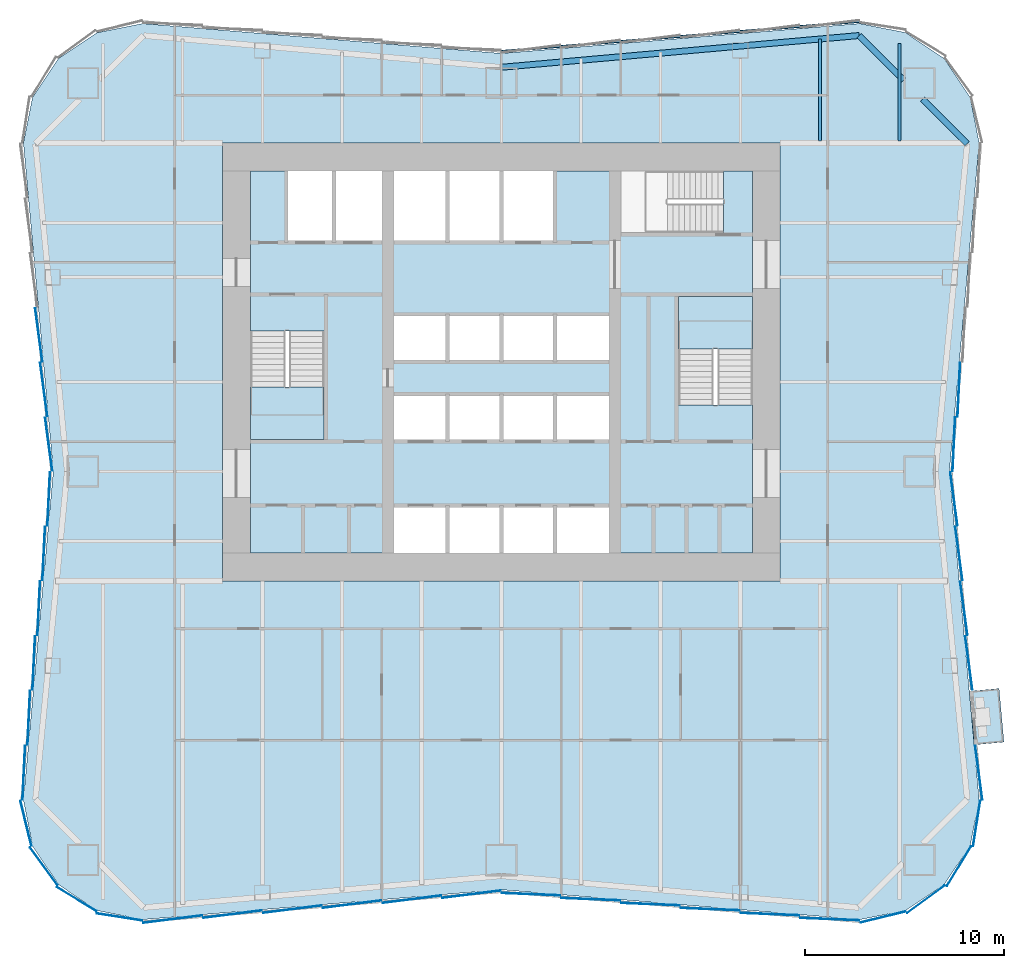
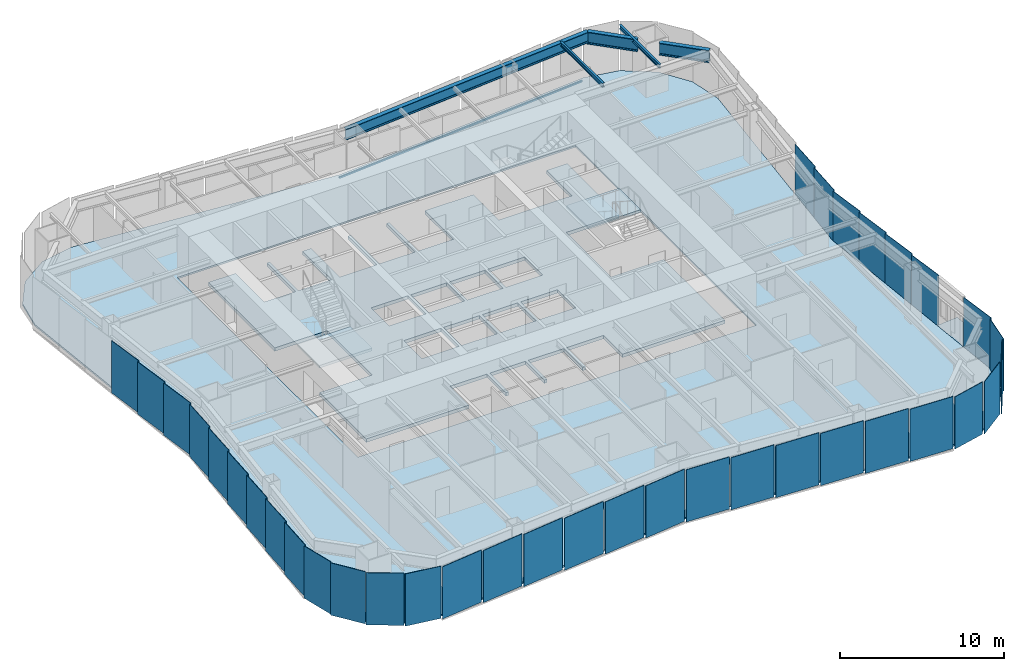
# One storey, part 2 of 8: 36 plates, 5 beams, 5 slabs, 1 member, 8 elements without a shape of their own.
"""IFC4 building model written with IfcOpenShell, lengths in metres."""

from ifc_helpers import new_model, si_unit, direction, frame, origin, origin_2d, place, context, subcontext, project, spatial, polyline, rectangle, i_section, outline, extrude, material, layer, layer_set, material_profile, profile_set, type_object, element, aggregate, save


model = new_model("IFC4")

# Units and contexts
model_context = context("Model", 3, precision=1e-05, world=origin(), true_north=direction((0.0, 1.0)))
body_context = subcontext(model_context, "Body", "Model", "MODEL_VIEW")
ifc_project = project(units=[si_unit("LENGTHUNIT", "METRE"), si_unit("AREAUNIT", "SQUARE_METRE"), si_unit("VOLUMEUNIT", "CUBIC_METRE"), si_unit("PLANEANGLEUNIT", "RADIAN"), si_unit("MASSUNIT", "GRAM", prefix="KILO")], contexts=[model_context])

# Site, building, storey
site_placement = place(None, origin())
site = spatial("IfcSite", under=ifc_project, at=site_placement, CompositionType="ELEMENT")
building_placement = place(site_placement, origin())
building = spatial("IfcBuilding", under=site, at=building_placement, Name="Verdant Reach Tower", CompositionType="ELEMENT")
storey_placement = place(building_placement, frame((0.0, 0.0, 42.0)))
storey = spatial("IfcBuildingStorey", under=building, at=storey_placement, Name="L09", CompositionType="ELEMENT", Elevation=42.0)

# Curtain wall, member
ifc_material_1 = material(Name="Anodised aluminium", Category="aluminium")
curtain_wall_type = type_object("IfcCurtainWallType", Name="EN-CW SYSTEM Z0", PredefinedType="NOTDEFINED", material=ifc_material_1)
curtain_wall_1_placement = place(storey_placement, origin())
curtain_wall_1 = element("IfcCurtainWall", 1, at=curtain_wall_1_placement, inside=storey, type_object=curtain_wall_type, Name="Curtain wall north, L09", PredefinedType="NOTDEFINED")
ifc_material_profile_1 = material_profile(ifc_material_1, rectangle(XDim=0.10009765625, YDim=0.1201171875, at=origin_2d()), Name="Transom 120x100")
ifc_profile_set_1 = profile_set([ifc_material_profile_1], Name="Anodised aluminium")
member_type = type_object("IfcMemberType", Name="EN-TRANSOM Z0", PredefinedType="USERDEFINED", material=ifc_profile_set_1)
member_placement = place(storey_placement, frame((17.975830078125, 45.097412109375, -0.2900390625), z_axis=(-0.996548656072, -0.083010698588, 0.0), x_axis=(0.083010698588, -0.996548656072, 0.0)))
member = element("IfcMember", 2, at=member_placement, type_object=member_type, Name="Transom north face part 1 1.1, L09", ObjectType="TRANSOM", PredefinedType="USERDEFINED", context=body_context, shape_type="SweptSolid", body=[
    extrude(rectangle(XDim=0.10009765625, YDim=0.1201171875, at=origin_2d()), origin(), (0.0, 0.0, 1.0), 18.00830078125),
])
aggregate(curtain_wall_1, [member])

# Beams
ifc_material_2 = material(Name="Steel S355", Category="steel")
ifc_material_profile_2 = material_profile(ifc_material_2, i_section(OverallWidth=0.14990234375, OverallDepth=0.300048828125, WebThickness=0.007080078125, FlangeThickness=0.0107421875, FilletRadius=0.014892578125, at=origin_2d()), Name="IPE 300")
ifc_profile_set_2 = profile_set([ifc_material_profile_2], Name="Steel S355")
beam_type_1 = type_object("IfcBeamType", Name="ST-JOIST-IPE300", PredefinedType="JOIST", material=ifc_profile_set_2)
beam_1_placement = place(storey_placement, frame((16.0, 39.10009765625, 3.719970703125), z_axis=(0.0, 1.0, 0.0), x_axis=(-1.0, 0.0, 0.0)))
element("IfcBeam", 3, at=beam_1_placement, inside=storey, type_object=beam_type_1, Name="Floor joist, L09", PredefinedType="JOIST", context=body_context, shape_type="SweptSolid", body=[
    extrude(i_section(OverallWidth=0.14990234375, OverallDepth=0.300048828125, WebThickness=0.007080078125, FlangeThickness=0.0107421875, FilletRadius=0.014892578125, at=origin_2d()), origin(), (0.0, 0.0, 1.0), 5.131103515625),
])
beam_2_placement = place(storey_placement, frame((20.0, 39.10009765625, 3.719970703125), z_axis=(0.0, 1.0, 0.0), x_axis=(-1.0, 0.0, 0.0)))
element("IfcBeam", 4, at=beam_2_placement, inside=storey, type_object=beam_type_1, Name="Floor joist, L09", PredefinedType="JOIST", context=body_context, shape_type="SweptSolid", body=[
    extrude(i_section(OverallWidth=0.14990234375, OverallDepth=0.300048828125, WebThickness=0.007080078125, FlangeThickness=0.0107421875, FilletRadius=0.014892578125, at=origin_2d()), origin(), (0.0, 0.0, 1.0), 4.890380859375),
])
ifc_material_profile_3 = material_profile(ifc_material_2, i_section(OverallWidth=0.300048828125, OverallDepth=0.800048828125, WebThickness=0.017578125, FlangeThickness=0.032958984375, FilletRadius=0.030029296875, at=origin_2d()), Name="HEB 800")
ifc_profile_set_3 = profile_set([ifc_material_profile_3], Name="Steel S355")
beam_type_2 = type_object("IfcBeamType", Name="ST-SPANDREL-HEB800", PredefinedType="SPANDREL", material=ifc_profile_set_3)
beam_3_placement = place(storey_placement, frame((0.0, 42.800048828125, 3.469970703125), z_axis=(0.996082370463, 0.088430262084, 0.0), x_axis=(-0.088430262084, 0.996082370463, 0.0)))
element("IfcBeam", 5, at=beam_3_placement, inside=storey, type_object=beam_type_2, Name="Edge beam, L09", PredefinedType="SPANDREL", context=body_context, shape_type="SweptSolid", body=[
    extrude(i_section(OverallWidth=0.300048828125, OverallDepth=0.800048828125, WebThickness=0.017578125, FlangeThickness=0.032958984375, FilletRadius=0.030029296875, at=origin_2d()), origin(), (0.0, 0.0, 1.0), 18.036376953125),
])
ifc_material_profile_4 = material_profile(ifc_material_2, i_section(OverallWidth=0.302001953125, OverallDepth=0.909912109375, WebThickness=0.02099609375, FlangeThickness=0.0400390625, FilletRadius=0.030029296875, at=origin_2d()), Name="HEM 900")
ifc_profile_set_4 = profile_set([ifc_material_profile_4], Name="Steel S355")
beam_type_3 = type_object("IfcBeamType", Name="ST-SPANDREL-HEM900", PredefinedType="SPANDREL", material=ifc_profile_set_4)
beam_4_placement = place(storey_placement, frame((17.9658203125, 44.39501953125, 3.4150390625), z_axis=(0.707222697162, -0.706990846206, 0.0), x_axis=(0.706990846206, 0.707222697162, 0.0)))
element("IfcBeam", 6, at=beam_4_placement, inside=storey, type_object=beam_type_3, Name="Edge beam, L09", PredefinedType="SPANDREL", context=body_context, shape_type="SweptSolid", body=[
    extrude(i_section(OverallWidth=0.302001953125, OverallDepth=0.909912109375, WebThickness=0.02099609375, FlangeThickness=0.0400390625, FilletRadius=0.030029296875, at=origin_2d()), origin(), (0.0, 0.0, 1.0), 3.158935546875),
])
beam_5_placement = place(storey_placement, frame((21.161865234375, 41.199951171875, 3.4150390625), z_axis=(0.70722277322, -0.706990770123, 0.0), x_axis=(0.706990770123, 0.70722277322, 0.0)))
element("IfcBeam", 7, at=beam_5_placement, inside=storey, type_object=beam_type_3, Name="Edge beam, L09", PredefinedType="SPANDREL", context=body_context, shape_type="SweptSolid", body=[
    extrude(i_section(OverallWidth=0.302001953125, OverallDepth=0.909912109375, WebThickness=0.02099609375, FlangeThickness=0.0400390625, FilletRadius=0.030029296875, at=origin_2d()), origin(), (0.0, 0.0, 1.0), 3.156982421875),
])

# Stair, slab
ifc_material_3 = material(Name="Concrete C40/50", Category="concrete")
stair_type = type_object("IfcStairType", Name="CO-STAIR", PredefinedType="HALF_TURN_STAIR", material=ifc_material_3)
stair_1_placement = place(storey_placement, origin())
stair_1 = element("IfcStair", 8, at=stair_1_placement, inside=storey, type_object=stair_type, Name="L09 Exit stair 1", PredefinedType="HALF_TURN_STAIR")
ifc_layer_1 = layer(ifc_material_3, 0.199951171875)
ifc_layer_set_1 = layer_set([ifc_layer_1], Name="CO-STAIR-LANDING")
slab_type_1 = type_object("IfcSlabType", Name="CO-STAIR-LANDING", PredefinedType="LANDING", material=ifc_layer_set_1)
slab_1_placement = place(storey_placement, frame((0.0, 0.0, 1.800048828125)))
slab_1 = element("IfcSlab", 9, at=slab_1_placement, type_object=slab_type_1, Name="ST-1 landing 1", PredefinedType="LANDING", context=body_context, shape_type="SweptSolid", body=[
    extrude(outline(polyline([(-12.60009765625, 26.75), (-12.60009765625, 24.10009765625), (-8.89990234375, 24.10009765625), (-8.89990234375, 26.75), (-12.60009765625, 26.75)])), origin(), (0.0, 0.0, 1.0), 0.199951171875),
])
aggregate(stair_1, [slab_1])

stair_2_placement = place(storey_placement, origin())
stair_2 = element("IfcStair", 10, at=stair_2_placement, inside=storey, type_object=stair_type, Name="L09 Exit stair 2", PredefinedType="HALF_TURN_STAIR")
slab_2_placement = place(storey_placement, frame((0.0, 0.0, 1.800048828125)))
slab_2 = element("IfcSlab", 11, at=slab_2_placement, type_object=slab_type_1, Name="ST-2 landing 1", PredefinedType="LANDING", context=body_context, shape_type="SweptSolid", body=[
    extrude(outline(polyline([(12.60009765625, 28.64990234375), (12.60009765625, 31.300048828125), (8.89990234375, 31.300048828125), (8.89990234375, 28.64990234375), (12.60009765625, 28.64990234375)])), origin(), (0.0, 0.0, 1.0), 0.199951171875),
])
aggregate(stair_2, [slab_2])

# Slab
ifc_material_4 = material(Name="Concrete C35/45", Category="concrete")
ifc_layer_2 = layer(ifc_material_4, 0.25)
ifc_layer_set_2 = layer_set([ifc_layer_2], Name="EN-BALCONY SLAB")
slab_type_2 = type_object("IfcSlabType", Name="EN-BALCONY SLAB", PredefinedType="FLOOR", material=ifc_layer_set_2)
slab_3_placement = place(storey_placement, frame((0.0, 0.0, -0.25)))
element("IfcSlab", 12, at=slab_3_placement, inside=storey, type_object=slab_type_2, Name="Balcony slab 1, L09", PredefinedType="FLOOR", context=body_context, shape_type="SweptSolid", body=[
    extrude(outline(polyline([(23.747314453125, 8.77978515625), (23.502685546875, 11.47021484375), (24.99658203125, 11.60595703125), (25.2412109375, 8.915771484375), (23.747314453125, 8.77978515625)])), origin(), (0.0, 0.0, 1.0), 0.25),
])

# Curtain wall, plates
curtain_wall_2_placement = place(storey_placement, origin())
curtain_wall_2 = element("IfcCurtainWall", 13, at=curtain_wall_2_placement, inside=storey, type_object=curtain_wall_type, Name="Curtain wall south-east corner, L09", PredefinedType="NOTDEFINED")
ifc_material_5 = material(Name="Tinted glass with champagne spandrel", Category="glass")
ifc_layer_3 = layer(ifc_material_5, 0.031982421875)
ifc_layer_set_3 = layer_set([ifc_layer_3], Name="EN-PANEL CHAMPAGNE")
plate_type_1 = type_object("IfcPlateType", Name="EN-PANEL CHAMPAGNE", PredefinedType="CURTAIN_PANEL", material=ifc_layer_set_3)
plate_1_placement = place(storey_placement, frame((21.32373046875, 1.025390625, -0.22998046875), z_axis=(0.0, 0.0, 1.0), x_axis=(0.807456745624, 0.589926778461, 0.0)))
plate_1 = element("IfcPlate", 14, at=plate_1_placement, type_object=plate_type_1, Name="Glass panel south-east corner 2.1, L09", PredefinedType="CURTAIN_PANEL", context=body_context, shape_type="SweptSolid", body=[
    extrude(rectangle(XDim=2.32421875, YDim=0.031982421875, at=origin_2d()), origin(), (0.0, 0.0, 1.0), 3.8798828125),
])
plate_2_placement = place(storey_placement, frame((22.974609375, 2.67626953125, -0.22998046875), z_axis=(0.0, 0.0, 1.0), x_axis=(0.520291583159, 0.853988681713, 0.0)))
plate_2 = element("IfcPlate", 15, at=plate_2_placement, type_object=plate_type_1, Name="Glass panel south-east corner 3.1, L09", PredefinedType="CURTAIN_PANEL", context=body_context, shape_type="SweptSolid", body=[
    extrude(rectangle(XDim=2.32421875, YDim=0.031982421875, at=origin_2d()), origin(), (0.0, 0.0, 1.0), 3.8798828125),
])

curtain_wall_3_placement = place(storey_placement, origin())
curtain_wall_3 = element("IfcCurtainWall", 16, at=curtain_wall_3_placement, inside=storey, type_object=curtain_wall_type, Name="Curtain wall east, L09", PredefinedType="NOTDEFINED")
plate_3_placement = place(storey_placement, frame((23.974609375, 7.376953125, -0.22998046875), z_axis=(0.0, 0.0, 1.0), x_axis=(-0.131792939527, 0.991277267514, 0.0)))
plate_3 = element("IfcPlate", 17, at=plate_3_placement, type_object=plate_type_1, Name="Glass panel east face part 1 1.1, L09", PredefinedType="CURTAIN_PANEL", context=body_context, shape_type="SweptSolid", body=[
    extrude(rectangle(XDim=2.7197265625, YDim=0.031982421875, at=origin_2d()), origin(), (0.0, 0.0, 1.0), 3.8798828125),
])
plate_4_placement = place(storey_placement, frame((22.724853515625, 23.870361328125, -0.22998046875), z_axis=(0.0, 0.0, 1.0), x_axis=(0.048901687644, 0.998803596782, 0.0)))
plate_4 = element("IfcPlate", 18, at=plate_4_placement, type_object=plate_type_1, Name="Glass panel east face part 2 1.1, L09", PredefinedType="CURTAIN_PANEL", context=body_context, shape_type="SweptSolid", body=[
    extrude(rectangle(XDim=2.6962890625, YDim=0.031982421875, at=origin_2d()), origin(), (0.0, 0.0, 1.0), 3.8798828125),
])
plate_5_placement = place(storey_placement, frame((22.974609375, 26.615966796875, -0.22998046875), z_axis=(0.0, 0.0, 1.0), x_axis=(0.04875265175, 0.998810882473, 0.0)))
plate_5 = element("IfcPlate", 19, at=plate_5_placement, type_object=plate_type_1, Name="Glass panel east face part 2 2.1, L09", PredefinedType="CURTAIN_PANEL", context=body_context, shape_type="SweptSolid", body=[
    extrude(rectangle(XDim=2.705322265625, YDim=0.031982421875, at=origin_2d()), origin(), (0.0, 0.0, 1.0), 3.8798828125),
])

curtain_wall_4_placement = place(storey_placement, origin())
curtain_wall_4 = element("IfcCurtainWall", 20, at=curtain_wall_4_placement, inside=storey, type_object=curtain_wall_type, Name="Curtain wall west, L09", PredefinedType="NOTDEFINED")
plate_6_placement = place(storey_placement, frame((-23.224609375, 29.365966796875, -0.22998046875), z_axis=(0.0, 0.0, 1.0), x_axis=(0.132160009881, -0.99122839537, 0.0)))
plate_6 = element("IfcPlate", 21, at=plate_6_placement, type_object=plate_type_1, Name="Glass panel west face part 1 4.1, L09", PredefinedType="CURTAIN_PANEL", context=body_context, shape_type="SweptSolid", body=[
    extrude(rectangle(XDim=2.705322265625, YDim=0.031982421875, at=origin_2d()), origin(), (0.0, 0.0, 1.0), 3.8798828125),
])
plate_7_placement = place(storey_placement, frame((-22.974609375, 26.615966796875, -0.22998046875), z_axis=(0.0, 0.0, 1.0), x_axis=(0.132160009881, -0.99122839537, 0.0)))
plate_7 = element("IfcPlate", 22, at=plate_7_placement, type_object=plate_type_1, Name="Glass panel west face part 1 5.1, L09", PredefinedType="CURTAIN_PANEL", context=body_context, shape_type="SweptSolid", body=[
    extrude(rectangle(XDim=2.705322265625, YDim=0.031982421875, at=origin_2d()), origin(), (0.0, 0.0, 1.0), 3.8798828125),
])
plate_8_placement = place(storey_placement, frame((-23.724609375, 10.134033203125, -0.22998046875), z_axis=(0.0, 0.0, 1.0), x_axis=(-0.04875265175, -0.998810882473, 0.0)))
plate_8 = element("IfcPlate", 23, at=plate_8_placement, type_object=plate_type_1, Name="Glass panel west face part 2 5.1, L09", PredefinedType="CURTAIN_PANEL", context=body_context, shape_type="SweptSolid", body=[
    extrude(rectangle(XDim=2.705322265625, YDim=0.031982421875, at=origin_2d()), origin(), (0.0, 0.0, 1.0), 3.8798828125),
])
plate_9_placement = place(storey_placement, frame((-23.974609375, 7.376953125, -0.22998046875), z_axis=(0.0, 0.0, 1.0), x_axis=(-0.048382779248, -0.998828867561, 0.0)))
plate_9 = element("IfcPlate", 24, at=plate_9_placement, type_object=plate_type_1, Name="Glass panel west face part 2 6.1, L09", PredefinedType="CURTAIN_PANEL", context=body_context, shape_type="SweptSolid", body=[
    extrude(rectangle(XDim=2.7197265625, YDim=0.031982421875, at=origin_2d()), origin(), (0.0, 0.0, 1.0), 3.8798828125),
])

# Curtain wall, plate
curtain_wall_5_placement = place(storey_placement, origin())
curtain_wall_5 = element("IfcCurtainWall", 25, at=curtain_wall_5_placement, inside=storey, type_object=curtain_wall_type, Name="Curtain wall south-west corner, L09", PredefinedType="NOTDEFINED")
plate_10_placement = place(storey_placement, frame((-19.169921875, 0.13232421875, -0.22998046875), z_axis=(0.0, 0.0, 1.0), x_axis=(0.98803452381, -0.154232875093, 0.0)))
plate_10 = element("IfcPlate", 26, at=plate_10_placement, type_object=plate_type_1, Name="Glass panel south-west corner 4.1, L09", PredefinedType="CURTAIN_PANEL", context=body_context, shape_type="SweptSolid", body=[
    extrude(rectangle(XDim=2.318603515625, YDim=0.031982421875, at=origin_2d()), origin(), (0.0, 0.0, 1.0), 3.8798828125),
])

# Curtain wall, plates
curtain_wall_6_placement = place(storey_placement, origin())
curtain_wall_6 = element("IfcCurtainWall", 27, at=curtain_wall_6_placement, inside=storey, type_object=curtain_wall_type, Name="Curtain wall south, L09", PredefinedType="NOTDEFINED")
plate_11_placement = place(storey_placement, frame((-13.49169921875, 0.275390625, -0.22998046875), z_axis=(0.0, 0.0, 1.0), x_axis=(0.992194034542, 0.124703639961, 0.0)))
plate_11 = element("IfcPlate", 28, at=plate_11_placement, type_object=plate_type_1, Name="Glass panel south face part 1 2.1, L09", PredefinedType="CURTAIN_PANEL", context=body_context, shape_type="SweptSolid", body=[
    extrude(rectangle(XDim=2.954345703125, YDim=0.031982421875, at=origin_2d()), origin(), (0.0, 0.0, 1.0), 3.8798828125),
])
plate_12_placement = place(storey_placement, frame((-10.49169921875, 0.525390625, -0.22998046875), z_axis=(0.0, 0.0, 1.0), x_axis=(0.992194034542, 0.124703639961, 0.0)))
plate_12 = element("IfcPlate", 29, at=plate_12_placement, type_object=plate_type_1, Name="Glass panel south face part 1 3.1, L09", PredefinedType="CURTAIN_PANEL", context=body_context, shape_type="SweptSolid", body=[
    extrude(rectangle(XDim=2.954345703125, YDim=0.031982421875, at=origin_2d()), origin(), (0.0, 0.0, 1.0), 3.8798828125),
])
plate_13_placement = place(storey_placement, frame((7.49169921875, 0.775390625, -0.22998046875), z_axis=(0.0, 0.0, 1.0), x_axis=(0.999149202059, -0.041241629766, 0.0)))
plate_13 = element("IfcPlate", 30, at=plate_13_placement, type_object=plate_type_1, Name="Glass panel south face part 2 3.1, L09", PredefinedType="CURTAIN_PANEL", context=body_context, shape_type="SweptSolid", body=[
    extrude(rectangle(XDim=2.954345703125, YDim=0.031982421875, at=origin_2d()), origin(), (0.0, 0.0, 1.0), 3.8798828125),
])
plate_14_placement = place(storey_placement, frame((10.49169921875, 0.525390625, -0.22998046875), z_axis=(0.0, 0.0, 1.0), x_axis=(0.999149202059, -0.041241629766, 0.0)))
plate_14 = element("IfcPlate", 31, at=plate_14_placement, type_object=plate_type_1, Name="Glass panel south face part 2 4.1, L09", PredefinedType="CURTAIN_PANEL", context=body_context, shape_type="SweptSolid", body=[
    extrude(rectangle(XDim=2.954345703125, YDim=0.031982421875, at=origin_2d()), origin(), (0.0, 0.0, 1.0), 3.8798828125),
])
plate_15_placement = place(storey_placement, frame((13.49169921875, 0.275390625, -0.22998046875), z_axis=(0.0, 0.0, 1.0), x_axis=(0.999149202059, -0.041241629766, 0.0)))
plate_15 = element("IfcPlate", 32, at=plate_15_placement, type_object=plate_type_1, Name="Glass panel south face part 2 5.1, L09", PredefinedType="CURTAIN_PANEL", context=body_context, shape_type="SweptSolid", body=[
    extrude(rectangle(XDim=2.954345703125, YDim=0.031982421875, at=origin_2d()), origin(), (0.0, 0.0, 1.0), 3.8798828125),
])

# Plate
ifc_material_6 = material(Name="Tinted glass with copper spandrel", Category="glass")
ifc_layer_4 = layer(ifc_material_6, 0.031982421875)
ifc_layer_set_4 = layer_set([ifc_layer_4], Name="EN-PANEL COPPER")
plate_type_2 = type_object("IfcPlateType", Name="EN-PANEL COPPER", PredefinedType="CURTAIN_PANEL", material=ifc_layer_set_4)
plate_16_placement = place(storey_placement, frame((23.86767578125, 4.830078125, -0.22998046875), z_axis=(0.0, 0.0, 1.0), x_axis=(0.154210737778, 0.988037979206, 0.0)))
plate_16 = element("IfcPlate", 33, at=plate_16_placement, type_object=plate_type_2, Name="Glass panel south-east corner 4.1, L09", PredefinedType="CURTAIN_PANEL", context=body_context, shape_type="SweptSolid", body=[
    extrude(rectangle(XDim=2.31884765625, YDim=0.031982421875, at=origin_2d()), origin(), (0.0, 0.0, 1.0), 3.8798828125),
])

plate_17_placement = place(storey_placement, frame((23.474609375, 12.884033203125, -0.22998046875), z_axis=(0.0, 0.0, 1.0), x_axis=(-0.132160009881, 0.99122839537, 0.0)))
plate_17 = element("IfcPlate", 34, at=plate_17_placement, type_object=plate_type_2, Name="Glass panel east face part 1 3.1, L09", PredefinedType="CURTAIN_PANEL", context=body_context, shape_type="SweptSolid", body=[
    extrude(rectangle(XDim=2.705322265625, YDim=0.031982421875, at=origin_2d()), origin(), (0.0, 0.0, 1.0), 3.8798828125),
])

plate_18_placement = place(storey_placement, frame((23.224609375, 15.634033203125, -0.22998046875), z_axis=(0.0, 0.0, 1.0), x_axis=(-0.132160009881, 0.99122839537, 0.0)))
plate_18 = element("IfcPlate", 35, at=plate_18_placement, type_object=plate_type_2, Name="Glass panel east face part 1 4.1, L09", PredefinedType="CURTAIN_PANEL", context=body_context, shape_type="SweptSolid", body=[
    extrude(rectangle(XDim=2.705322265625, YDim=0.031982421875, at=origin_2d()), origin(), (0.0, 0.0, 1.0), 3.8798828125),
])

plate_19_placement = place(storey_placement, frame((-22.724853515625, 23.870361328125, -0.22998046875), z_axis=(0.0, 0.0, 1.0), x_axis=(0.132307913434, -0.991208664229, 0.0)))
plate_19 = element("IfcPlate", 36, at=plate_19_placement, type_object=plate_type_2, Name="Glass panel west face part 1 6.1, L09", PredefinedType="CURTAIN_PANEL", context=body_context, shape_type="SweptSolid", body=[
    extrude(rectangle(XDim=2.6962890625, YDim=0.031982421875, at=origin_2d()), origin(), (0.0, 0.0, 1.0), 3.8798828125),
])

plate_20_placement = place(storey_placement, frame((-22.724853515625, 21.129638671875, -0.22998046875), z_axis=(0.0, 0.0, 1.0), x_axis=(-0.048901687644, -0.998803596782, 0.0)))
plate_20 = element("IfcPlate", 37, at=plate_20_placement, type_object=plate_type_2, Name="Glass panel west face part 2 1.1, L09", PredefinedType="CURTAIN_PANEL", context=body_context, shape_type="SweptSolid", body=[
    extrude(rectangle(XDim=2.6962890625, YDim=0.031982421875, at=origin_2d()), origin(), (0.0, 0.0, 1.0), 3.8798828125),
])

plate_21_placement = place(storey_placement, frame((-22.974609375, 18.384033203125, -0.22998046875), z_axis=(0.0, 0.0, 1.0), x_axis=(-0.04875265175, -0.998810882473, 0.0)))
plate_21 = element("IfcPlate", 38, at=plate_21_placement, type_object=plate_type_2, Name="Glass panel west face part 2 2.1, L09", PredefinedType="CURTAIN_PANEL", context=body_context, shape_type="SweptSolid", body=[
    extrude(rectangle(XDim=2.705322265625, YDim=0.031982421875, at=origin_2d()), origin(), (0.0, 0.0, 1.0), 3.8798828125),
])

plate_22_placement = place(storey_placement, frame((-7.49169921875, 0.775390625, -0.22998046875), z_axis=(0.0, 0.0, 1.0), x_axis=(0.992194034542, 0.124703639961, 0.0)))
plate_22 = element("IfcPlate", 39, at=plate_22_placement, type_object=plate_type_2, Name="Glass panel south face part 1 4.1, L09", PredefinedType="CURTAIN_PANEL", context=body_context, shape_type="SweptSolid", body=[
    extrude(rectangle(XDim=2.954345703125, YDim=0.031982421875, at=origin_2d()), origin(), (0.0, 0.0, 1.0), 3.8798828125),
])

plate_23_placement = place(storey_placement, frame((-4.49169921875, 1.025390625, -0.22998046875), z_axis=(0.0, 0.0, 1.0), x_axis=(0.992194034542, 0.124703639961, 0.0)))
plate_23 = element("IfcPlate", 40, at=plate_23_placement, type_object=plate_type_2, Name="Glass panel south face part 1 5.1, L09", PredefinedType="CURTAIN_PANEL", context=body_context, shape_type="SweptSolid", body=[
    extrude(rectangle(XDim=2.954345703125, YDim=0.031982421875, at=origin_2d()), origin(), (0.0, 0.0, 1.0), 3.8798828125),
])

plate_24_placement = place(storey_placement, frame((-1.495849609375, 1.275146484375, -0.22998046875), z_axis=(0.0, 0.0, 1.0), x_axis=(0.992179679439, 0.124817802047, 0.0)))
plate_24 = element("IfcPlate", 41, at=plate_24_placement, type_object=plate_type_2, Name="Glass panel south face part 1 6.1, L09", PredefinedType="CURTAIN_PANEL", context=body_context, shape_type="SweptSolid", body=[
    extrude(rectangle(XDim=2.946044921875, YDim=0.031982421875, at=origin_2d()), origin(), (0.0, 0.0, 1.0), 3.8798828125),
])

plate_25_placement = place(storey_placement, frame((16.498779296875, 0.025146484375, -0.22998046875), z_axis=(0.0, 0.0, 1.0), x_axis=(0.999162442933, -0.040919587398, 0.0)))
plate_25 = element("IfcPlate", 42, at=plate_25_placement, type_object=plate_type_2, Name="Glass panel south face part 2 6.1, L09", PredefinedType="CURTAIN_PANEL", context=body_context, shape_type="SweptSolid", body=[
    extrude(rectangle(XDim=2.96826171875, YDim=0.031982421875, at=origin_2d()), origin(), (0.0, 0.0, 1.0), 3.8798828125),
])

ifc_material_7 = material(Name="Tinted glass with dark bronze spandrel", Category="glass")
ifc_layer_5 = layer(ifc_material_7, 0.031982421875)
ifc_layer_set_5 = layer_set([ifc_layer_5], Name="EN-PANEL DARK")
plate_type_3 = type_object("IfcPlateType", Name="EN-PANEL DARK", PredefinedType="CURTAIN_PANEL", material=ifc_layer_set_5)
plate_26_placement = place(storey_placement, frame((19.169921875, 0.13232421875, -0.22998046875), z_axis=(0.0, 0.0, 1.0), x_axis=(0.97166347331, 0.236368556782, 0.0)))
plate_26 = element("IfcPlate", 43, at=plate_26_placement, type_object=plate_type_3, Name="Glass panel south-east corner 1.1, L09", PredefinedType="CURTAIN_PANEL", context=body_context, shape_type="SweptSolid", body=[
    extrude(rectangle(XDim=2.318603515625, YDim=0.031982421875, at=origin_2d()), origin(), (0.0, 0.0, 1.0), 3.8798828125),
])

aggregate(curtain_wall_2, [plate_26, plate_1, plate_2, plate_16])

plate_27_placement = place(storey_placement, frame((22.974609375, 18.384033203125, -0.22998046875), z_axis=(0.0, 0.0, 1.0), x_axis=(-0.132160009881, 0.99122839537, 0.0)))
plate_27 = element("IfcPlate", 44, at=plate_27_placement, type_object=plate_type_3, Name="Glass panel east face part 1 5.1, L09", PredefinedType="CURTAIN_PANEL", context=body_context, shape_type="SweptSolid", body=[
    extrude(rectangle(XDim=2.705322265625, YDim=0.031982421875, at=origin_2d()), origin(), (0.0, 0.0, 1.0), 3.8798828125),
])

plate_28_placement = place(storey_placement, frame((22.724853515625, 21.129638671875, -0.22998046875), z_axis=(0.0, 0.0, 1.0), x_axis=(-0.132307913434, 0.991208664229, 0.0)))
plate_28 = element("IfcPlate", 45, at=plate_28_placement, type_object=plate_type_3, Name="Glass panel east face part 1 6.1, L09", PredefinedType="CURTAIN_PANEL", context=body_context, shape_type="SweptSolid", body=[
    extrude(rectangle(XDim=2.6962890625, YDim=0.031982421875, at=origin_2d()), origin(), (0.0, 0.0, 1.0), 3.8798828125),
])

aggregate(curtain_wall_3, [plate_3, plate_17, plate_18, plate_27, plate_28, plate_4, plate_5])

plate_29_placement = place(storey_placement, frame((-23.224609375, 15.634033203125, -0.22998046875), z_axis=(0.0, 0.0, 1.0), x_axis=(-0.04875265175, -0.998810882473, 0.0)))
plate_29 = element("IfcPlate", 46, at=plate_29_placement, type_object=plate_type_3, Name="Glass panel west face part 2 3.1, L09", PredefinedType="CURTAIN_PANEL", context=body_context, shape_type="SweptSolid", body=[
    extrude(rectangle(XDim=2.705322265625, YDim=0.031982421875, at=origin_2d()), origin(), (0.0, 0.0, 1.0), 3.8798828125),
])

plate_30_placement = place(storey_placement, frame((-23.474609375, 12.884033203125, -0.22998046875), z_axis=(0.0, 0.0, 1.0), x_axis=(-0.04875265175, -0.998810882473, 0.0)))
plate_30 = element("IfcPlate", 47, at=plate_30_placement, type_object=plate_type_3, Name="Glass panel west face part 2 4.1, L09", PredefinedType="CURTAIN_PANEL", context=body_context, shape_type="SweptSolid", body=[
    extrude(rectangle(XDim=2.705322265625, YDim=0.031982421875, at=origin_2d()), origin(), (0.0, 0.0, 1.0), 3.8798828125),
])

aggregate(curtain_wall_4, [plate_6, plate_7, plate_19, plate_20, plate_21, plate_29, plate_30, plate_8, plate_9])

plate_31_placement = place(storey_placement, frame((-23.86767578125, 4.830078125, -0.22998046875), z_axis=(0.0, 0.0, 1.0), x_axis=(0.236346786246, -0.97166876899, 0.0)))
plate_31 = element("IfcPlate", 48, at=plate_31_placement, type_object=plate_type_3, Name="Glass panel south-west corner 1.1, L09", PredefinedType="CURTAIN_PANEL", context=body_context, shape_type="SweptSolid", body=[
    extrude(rectangle(XDim=2.31884765625, YDim=0.031982421875, at=origin_2d()), origin(), (0.0, 0.0, 1.0), 3.8798828125),
])

plate_32_placement = place(storey_placement, frame((-22.974609375, 2.67626953125, -0.22998046875), z_axis=(0.0, 0.0, 1.0), x_axis=(0.589926778461, -0.807456745624, 0.0)))
plate_32 = element("IfcPlate", 49, at=plate_32_placement, type_object=plate_type_3, Name="Glass panel south-west corner 2.1, L09", PredefinedType="CURTAIN_PANEL", context=body_context, shape_type="SweptSolid", body=[
    extrude(rectangle(XDim=2.32421875, YDim=0.031982421875, at=origin_2d()), origin(), (0.0, 0.0, 1.0), 3.8798828125),
])

plate_33_placement = place(storey_placement, frame((-21.32373046875, 1.025390625, -0.22998046875), z_axis=(0.0, 0.0, 1.0), x_axis=(0.853988681713, -0.520291583159, 0.0)))
plate_33 = element("IfcPlate", 50, at=plate_33_placement, type_object=plate_type_3, Name="Glass panel south-west corner 3.1, L09", PredefinedType="CURTAIN_PANEL", context=body_context, shape_type="SweptSolid", body=[
    extrude(rectangle(XDim=2.32421875, YDim=0.031982421875, at=origin_2d()), origin(), (0.0, 0.0, 1.0), 3.8798828125),
])

aggregate(curtain_wall_5, [plate_31, plate_32, plate_33, plate_10])

plate_34_placement = place(storey_placement, frame((-16.498779296875, 0.025146484375, -0.22998046875), z_axis=(0.0, 0.0, 1.0), x_axis=(0.992234176789, 0.124383835008, 0.0)))
plate_34 = element("IfcPlate", 51, at=plate_34_placement, type_object=plate_type_3, Name="Glass panel south face part 1 1.1, L09", PredefinedType="CURTAIN_PANEL", context=body_context, shape_type="SweptSolid", body=[
    extrude(rectangle(XDim=2.96826171875, YDim=0.031982421875, at=origin_2d()), origin(), (0.0, 0.0, 1.0), 3.8798828125),
])

plate_35_placement = place(storey_placement, frame((1.495849609375, 1.275146484375, -0.22998046875), z_axis=(0.0, 0.0, 1.0), x_axis=(0.999144450138, -0.041356592674, 0.0)))
plate_35 = element("IfcPlate", 52, at=plate_35_placement, type_object=plate_type_3, Name="Glass panel south face part 2 1.1, L09", PredefinedType="CURTAIN_PANEL", context=body_context, shape_type="SweptSolid", body=[
    extrude(rectangle(XDim=2.946044921875, YDim=0.031982421875, at=origin_2d()), origin(), (0.0, 0.0, 1.0), 3.8798828125),
])

plate_36_placement = place(storey_placement, frame((4.49169921875, 1.025390625, -0.22998046875), z_axis=(0.0, 0.0, 1.0), x_axis=(0.999149202059, -0.041241629766, 0.0)))
plate_36 = element("IfcPlate", 53, at=plate_36_placement, type_object=plate_type_3, Name="Glass panel south face part 2 2.1, L09", PredefinedType="CURTAIN_PANEL", context=body_context, shape_type="SweptSolid", body=[
    extrude(rectangle(XDim=2.954345703125, YDim=0.031982421875, at=origin_2d()), origin(), (0.0, 0.0, 1.0), 3.8798828125),
])

aggregate(curtain_wall_6, [plate_34, plate_11, plate_12, plate_22, plate_23, plate_24, plate_35, plate_36, plate_13, plate_14, plate_15, plate_25])

# Slabs
ifc_material_8 = material(Name="Concrete C35/45", Category="concrete")
ifc_layer_6 = layer(ifc_material_8, 0.1298828125)
ifc_layer_set_6 = layer_set([ifc_layer_6], Name="ST-SLAB-130")
slab_type_3 = type_object("IfcSlabType", Name="ST-SLAB-130", PredefinedType="FLOOR", material=ifc_layer_set_6)
slab_4_placement = place(storey_placement, frame((0.0, 0.0, -0.1298828125)))
element("IfcSlab", 54, at=slab_4_placement, inside=storey, type_object=slab_type_3, Name="Floor slab L09", PredefinedType="FLOOR", context=body_context, shape_type="SweptSolid", body=[
    extrude(outline(polyline([(0.0, 1.5), (-18.0, 0.0), (-20.296142578125, 0.456787109375), (-22.24267578125, 1.75732421875), (-23.543212890625, 3.703857421875), (-24.0, 6.0), (-22.5, 22.5), (-24.0, 39.0), (-23.543212890625, 41.296142578125), (-22.24267578125, 43.24267578125), (-20.296142578125, 44.543212890625), (-18.0, 45.0), (0.0, 43.5), (18.0, 45.0), (20.296142578125, 44.543212890625), (22.24267578125, 43.24267578125), (23.543212890625, 41.296142578125), (24.0, 39.0), (22.5, 22.5), (24.0, 6.0), (23.543212890625, 3.703857421875), (22.24267578125, 1.75732421875), (20.296142578125, 0.456787109375), (18.0, 0.0), (0.0, 1.5)]), holes=[polyline([(14.0, 39.0), (-14.0, 39.0), (-14.0, 17.0), (14.0, 17.0), (14.0, 39.0)])]), origin(), (0.0, 0.0, 1.0), 0.1298828125),
])
ifc_layer_7 = layer(ifc_material_8, 0.25)
ifc_layer_set_7 = layer_set([ifc_layer_7], Name="ST-SLAB-250")
slab_type_4 = type_object("IfcSlabType", Name="ST-SLAB-250", PredefinedType="FLOOR", material=ifc_layer_set_7)
slab_5_placement = place(storey_placement, frame((0.0, 0.0, -0.25)))
element("IfcSlab", 55, at=slab_5_placement, inside=storey, type_object=slab_type_4, Name="Core floor slab L09", PredefinedType="FLOOR", context=body_context, shape_type="SweptSolid", body=[
    extrude(outline(polyline([(12.60009765625, 18.39990234375), (5.39990234375, 18.39990234375), (5.39990234375, 20.699951171875), (2.800048828125, 20.699951171875), (2.800048828125, 18.39990234375), (2.60009765625, 18.39990234375), (2.60009765625, 20.699951171875), (0.10009765625, 20.699951171875), (0.10009765625, 18.39990234375), (-0.10009765625, 18.39990234375), (-0.10009765625, 20.699951171875), (-2.60009765625, 20.699951171875), (-2.60009765625, 18.39990234375), (-2.800048828125, 18.39990234375), (-2.800048828125, 20.699951171875), (-5.39990234375, 20.699951171875), (-5.39990234375, 18.39990234375), (-12.60009765625, 18.39990234375), (-12.60009765625, 24.10009765625), (-8.89990234375, 24.10009765625), (-8.89990234375, 29.548095703125), (-12.60009765625, 29.548095703125), (-12.60009765625, 37.60009765625), (-10.699951171875, 37.60009765625), (-10.699951171875, 34.10009765625), (-8.5, 34.10009765625), (-8.5, 37.60009765625), (-8.300048828125, 37.60009765625), (-8.300048828125, 34.10009765625), (-6.0, 34.10009765625), (-6.0, 37.60009765625), (-5.39990234375, 37.60009765625), (-5.39990234375, 34.10009765625), (-2.800048828125, 34.10009765625), (-2.800048828125, 37.60009765625), (-2.60009765625, 37.60009765625), (-2.60009765625, 34.10009765625), (-0.10009765625, 34.10009765625), (-0.10009765625, 37.60009765625), (0.10009765625, 37.60009765625), (0.10009765625, 34.10009765625), (2.60009765625, 34.10009765625), (2.60009765625, 37.60009765625), (6.0, 37.60009765625), (6.0, 34.5), (11.14794921875, 34.5), (11.14794921875, 37.60009765625), (12.60009765625, 37.60009765625), (12.60009765625, 31.300048828125), (8.89990234375, 31.300048828125), (8.89990234375, 25.85205078125), (12.60009765625, 25.85205078125), (12.60009765625, 18.39990234375)]), holes=[polyline([(-2.800048828125, 24.10009765625), (-2.800048828125, 26.300048828125), (-5.39990234375, 26.300048828125), (-5.39990234375, 24.10009765625), (-2.800048828125, 24.10009765625)]), polyline([(-2.60009765625, 24.10009765625), (-0.10009765625, 24.10009765625), (-0.10009765625, 26.300048828125), (-2.60009765625, 26.300048828125), (-2.60009765625, 24.10009765625)]), polyline([(-2.800048828125, 28.10009765625), (-2.800048828125, 30.300048828125), (-5.39990234375, 30.300048828125), (-5.39990234375, 28.10009765625), (-2.800048828125, 28.10009765625)]), polyline([(-0.10009765625, 28.10009765625), (-0.10009765625, 30.300048828125), (-2.60009765625, 30.300048828125), (-2.60009765625, 28.10009765625), (-0.10009765625, 28.10009765625)]), polyline([(2.60009765625, 24.10009765625), (2.60009765625, 26.300048828125), (0.10009765625, 26.300048828125), (0.10009765625, 24.10009765625), (2.60009765625, 24.10009765625)]), polyline([(2.800048828125, 24.10009765625), (5.39990234375, 24.10009765625), (5.39990234375, 26.300048828125), (2.800048828125, 26.300048828125), (2.800048828125, 24.10009765625)]), polyline([(2.60009765625, 28.10009765625), (2.60009765625, 30.300048828125), (0.10009765625, 30.300048828125), (0.10009765625, 28.10009765625), (2.60009765625, 28.10009765625)]), polyline([(5.39990234375, 28.10009765625), (5.39990234375, 30.300048828125), (2.800048828125, 30.300048828125), (2.800048828125, 28.10009765625), (5.39990234375, 28.10009765625)])]), origin(), (0.0, 0.0, 1.0), 0.25),
])

save(model, "model.ifc")
